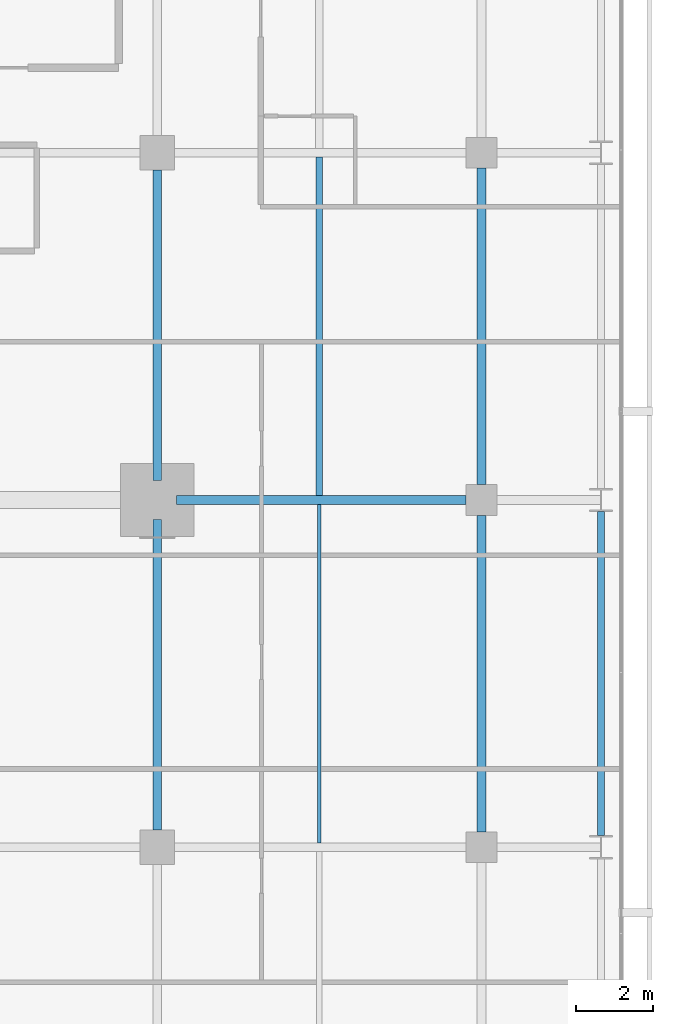
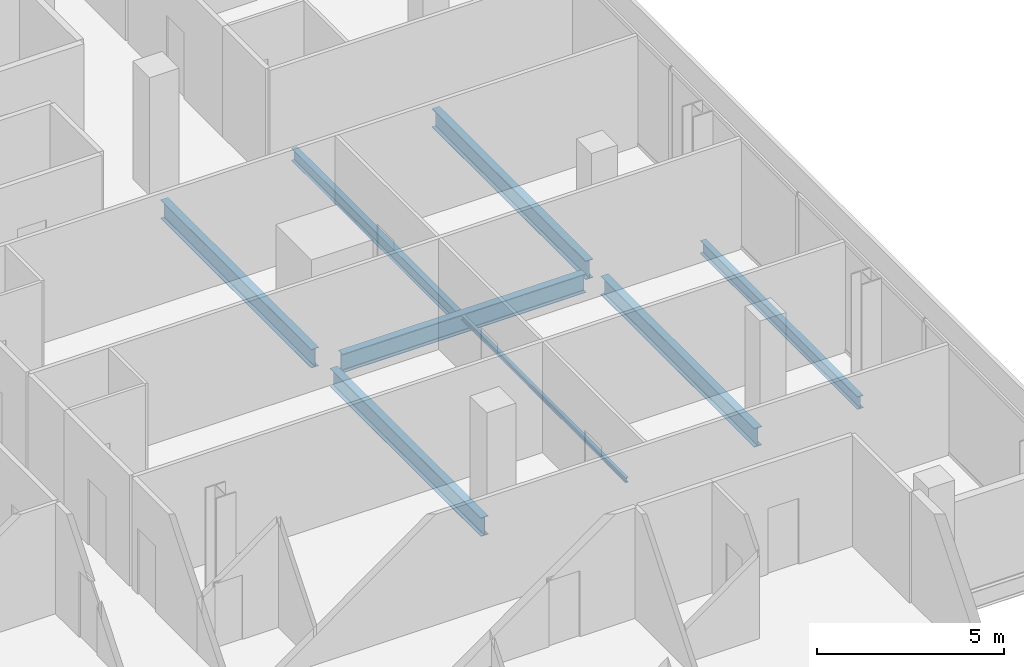
# One storey, part 16 of 33: 8 beams.
"""IFC4 building model written with IfcOpenShell, lengths in metres."""

from ifc_helpers import new_model, si_unit, direction, frame, origin, origin_2d, place, context, subcontext, project, spatial, i_section, extrude, material, material_profile, profile_set, type_object, element, save


model = new_model("IFC4")

# Units and contexts
model_context = context("Model", 3, precision=1e-05, world=origin(), true_north=direction((0.0, 1.0)))
body_context = subcontext(model_context, "Body", "Model", "MODEL_VIEW")
ifc_project = project(units=[si_unit("LENGTHUNIT", "METRE"), si_unit("AREAUNIT", "SQUARE_METRE"), si_unit("VOLUMEUNIT", "CUBIC_METRE"), si_unit("PLANEANGLEUNIT", "RADIAN"), si_unit("MASSUNIT", "GRAM", prefix="KILO")], contexts=[model_context])

# Site, building, storey
site_placement = place(None, origin())
site = spatial("IfcSite", under=ifc_project, at=site_placement, CompositionType="ELEMENT")
building_placement = place(site_placement, origin())
building = spatial("IfcBuilding", under=site, at=building_placement, Name="Maruvema Waterfront Hotel and Observation Tower", CompositionType="ELEMENT")
storey_placement = place(building_placement, frame((0.0, 0.0, 154.35009765625)))
storey = spatial("IfcBuildingStorey", under=building, at=storey_placement, Name="L37", CompositionType="ELEMENT", Elevation=154.35009765625)

# Beams
ifc_material_1 = material(Name="Steel ASTM A572 Grade 50", Category="steel")
ifc_material_profile_1 = material_profile(ifc_material_1, i_section(OverallWidth=0.180908203125, OverallDepth=0.4169921875, WebThickness=0.010986328125, FlangeThickness=0.018310546875, FilletRadius=0.014892578125, at=origin_2d()), Name="W410x85.0")
ifc_profile_set_1 = profile_set([ifc_material_profile_1], Name="Steel ASTM A572 Grade 50")
beam_type_1 = type_object("IfcBeamType", Name="Perimeter Spandrel Beam W410x85.0", PredefinedType="SPANDREL", material=ifc_profile_set_1)
beam_1_placement = place(storey_placement, frame((61.89990234375, 18.300048828125, -0.448486328125), z_axis=(0.0, 1.0, 0.0), x_axis=(-1.0, 0.0, 0.0)))
element("IfcBeam", 1, at=beam_1_placement, inside=storey, type_object=beam_type_1, Name="L37 Floor Girder NS-30", PredefinedType="SPANDREL", context=body_context, shape_type="SweptSolid", body=[
    extrude(i_section(OverallWidth=0.180908203125, OverallDepth=0.4169921875, WebThickness=0.010986328125, FlangeThickness=0.018310546875, FilletRadius=0.014892578125, at=origin_2d()), origin(), (0.0, 0.0, 1.0), 8.39990234375),
])
ifc_material_2 = material(Name="Steel ASTM A572 Grade 50", Category="steel")
ifc_material_profile_2 = material_profile(ifc_material_2, i_section(OverallWidth=0.22900390625, OverallDepth=0.612060546875, WebThickness=0.011962890625, FlangeThickness=0.01953125, FilletRadius=0.01806640625, at=origin_2d()), Name="W610x125.0")
ifc_profile_set_2 = profile_set([ifc_material_profile_2], Name="Steel ASTM A572 Grade 50")
beam_type_2 = type_object("IfcBeamType", Name="Primary Floor Girder W610x125.0", PredefinedType="BEAM", material=ifc_profile_set_2)
beam_2_placement = place(storey_placement, frame((50.89990234375, 27.0, -0.546142578125), z_axis=(1.0, 0.0, 0.0), x_axis=(0.0, 1.0, 0.0)))
element("IfcBeam", 2, at=beam_2_placement, inside=storey, type_object=beam_type_2, Name="L37 Floor Girder EW-21", PredefinedType="BEAM", context=body_context, shape_type="SweptSolid", body=[
    extrude(i_section(OverallWidth=0.22900390625, OverallDepth=0.612060546875, WebThickness=0.011962890625, FlangeThickness=0.01953125, FilletRadius=0.01806640625, at=origin_2d()), origin(), (0.0, 0.0, 1.0), 7.5),
])
for number, where, z_axis, x_axis, name in (
    (3, (50.39990234375, 18.449951171875, -0.546142578125), (0.0, 1.0, 0.0), (-1.0, 0.0, 0.0), "L37 Floor Girder NS-22"),
    (4, (50.39990234375, 27.5, -0.546142578125), (0.0, 1.0, 0.0), (-1.0, 0.0, 0.0), "L37 Floor Girder NS-23"),
):
    element("IfcBeam", number, at=place(storey_placement, frame(where, z_axis=z_axis, x_axis=x_axis)), inside=storey, type_object=beam_type_2, Name=name, PredefinedType="BEAM", context=body_context, shape_type="SweptSolid", body=[
        extrude(i_section(OverallWidth=0.22900390625, OverallDepth=0.612060546875, WebThickness=0.011962890625, FlangeThickness=0.01953125, FilletRadius=0.01806640625, at=origin_2d()), origin(), (0.0, 0.0, 1.0), 8.050048828125),
    ])
for number, where, z_axis, x_axis, name in (
    (5, (58.800048828125, 18.39990234375, -0.546142578125), (0.0, 1.0, 0.0), (-1.0, 0.0, 0.0), "L37 Floor Girder NS-26"),
    (6, (58.800048828125, 27.39990234375, -0.546142578125), (0.0, 1.0, 0.0), (-1.0, 0.0, 0.0), "L37 Floor Girder NS-27"),
):
    element("IfcBeam", number, at=place(storey_placement, frame(where, z_axis=z_axis, x_axis=x_axis)), inside=storey, type_object=beam_type_2, Name=name, PredefinedType="BEAM", context=body_context, shape_type="SweptSolid", body=[
        extrude(i_section(OverallWidth=0.22900390625, OverallDepth=0.612060546875, WebThickness=0.011962890625, FlangeThickness=0.01953125, FilletRadius=0.01806640625, at=origin_2d()), origin(), (0.0, 0.0, 1.0), 8.2001953125),
    ])
ifc_material_3 = material(Name="Steel ASTM A572 Grade 50", Category="steel")
ifc_material_profile_3 = material_profile(ifc_material_3, i_section(OverallWidth=0.10009765625, OverallDepth=0.153076171875, WebThickness=0.005859375, FlangeThickness=0.007080078125, FilletRadius=0.008056640625, at=origin_2d()), Name="W150x18.0")
ifc_profile_set_3 = profile_set([ifc_material_profile_3], Name="Steel ASTM A572 Grade 50")
beam_type_3 = type_object("IfcBeamType", Name="Secondary Floor Joist W150x18.0", PredefinedType="JOIST", material=ifc_profile_set_3)
beam_3_placement = place(storey_placement, frame((54.60009765625, 18.114501953125, -0.316650390625), z_axis=(0.0, 1.0, 0.0), x_axis=(-1.0, 0.0, 0.0)))
element("IfcBeam", 7, at=beam_3_placement, inside=storey, type_object=beam_type_3, Name="L37 Secondary Floor Joist JS-12", PredefinedType="JOIST", context=body_context, shape_type="SweptSolid", body=[
    extrude(i_section(OverallWidth=0.10009765625, OverallDepth=0.153076171875, WebThickness=0.005859375, FlangeThickness=0.007080078125, FilletRadius=0.008056640625, at=origin_2d()), origin(), (0.0, 0.0, 1.0), 8.77099609375),
])
ifc_material_4 = material(Name="Steel ASTM A572 Grade 50", Category="steel")
ifc_material_profile_4 = material_profile(ifc_material_4, i_section(OverallWidth=0.177001953125, OverallDepth=0.403076171875, WebThickness=0.007568359375, FlangeThickness=0.010986328125, FilletRadius=0.014892578125, at=origin_2d()), Name="W410x53.0")
ifc_profile_set_4 = profile_set([ifc_material_profile_4], Name="Steel ASTM A572 Grade 50")
beam_type_4 = type_object("IfcBeamType", Name="Secondary Floor Joist W410x53.0", PredefinedType="JOIST", material=ifc_profile_set_4)
beam_4_placement = place(storey_placement, frame((54.60009765625, 27.114501953125, -0.441650390625), z_axis=(0.0, 1.0, 0.0), x_axis=(-1.0, 0.0, 0.0)))
element("IfcBeam", 8, at=beam_4_placement, inside=storey, type_object=beam_type_4, Name="L37 Secondary Floor Joist JS-13", PredefinedType="JOIST", context=body_context, shape_type="SweptSolid", body=[
    extrude(i_section(OverallWidth=0.177001953125, OverallDepth=0.403076171875, WebThickness=0.007568359375, FlangeThickness=0.010986328125, FilletRadius=0.014892578125, at=origin_2d()), origin(), (0.0, 0.0, 1.0), 8.77099609375),
])

save(model, "model.ifc")
